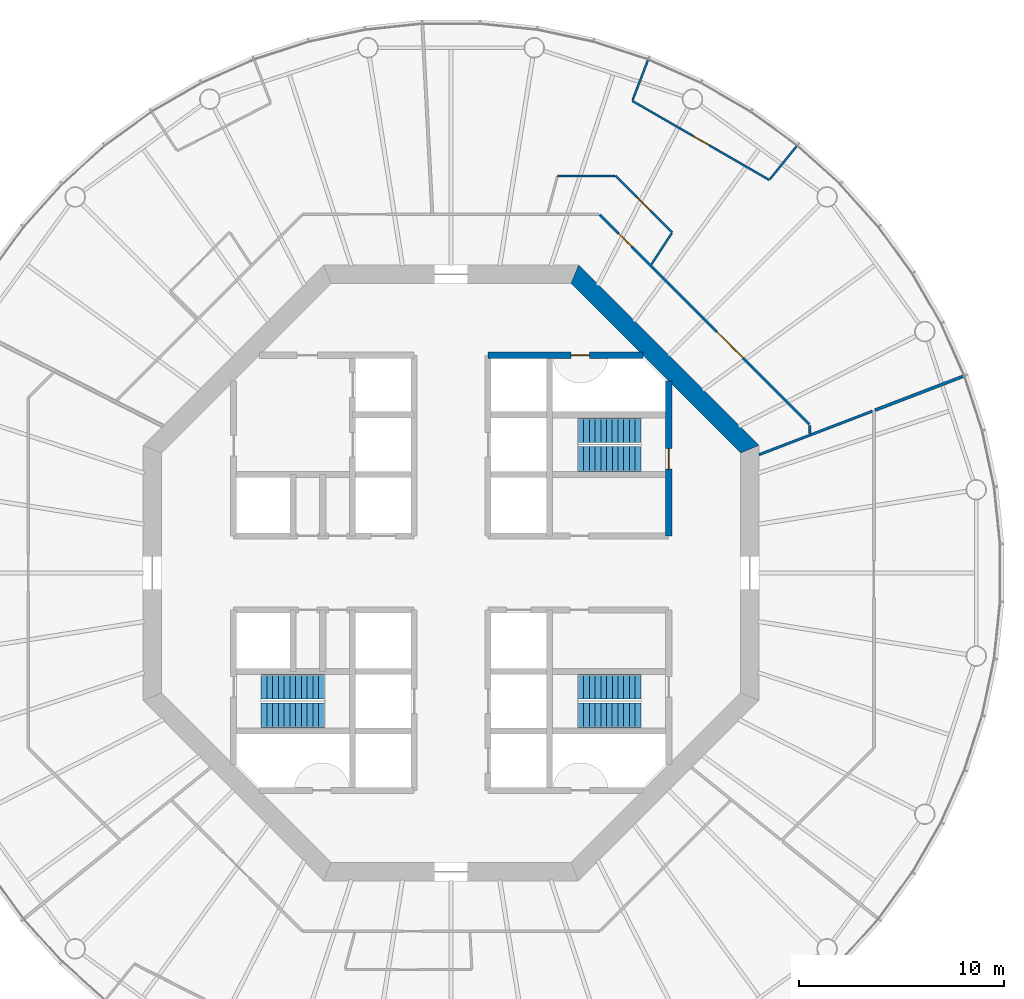
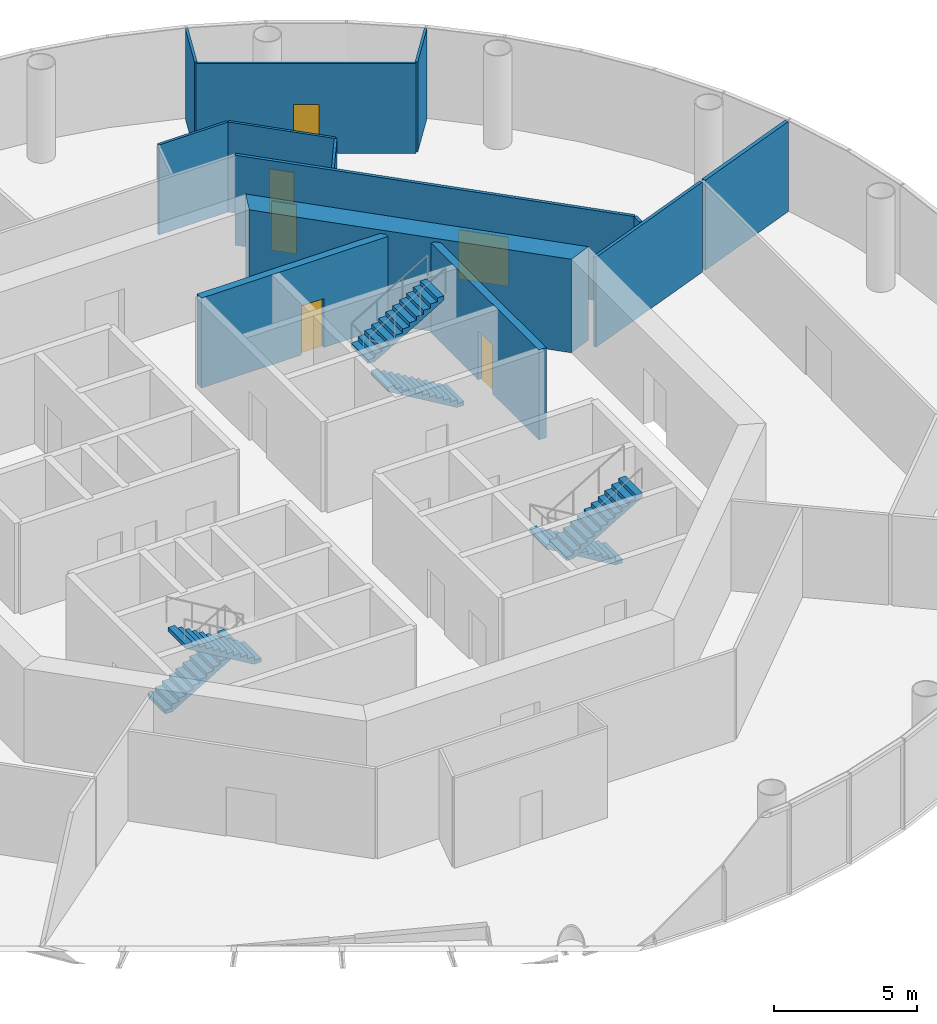
# One storey, part 5 of 12: 13 walls, 6 doors, 6 stair flights, 6 openings, 3 elements without a shape of their own.
"""IFC4 building model written with IfcOpenShell, lengths in metres."""

from ifc_helpers import new_model, si_unit, direction, frame, frame_2d, origin, place, context, subcontext, project, spatial, polyline, rectangle, outline, extrude, material, layer, layer_set, type_object, element, fill, aggregate, save


model = new_model("IFC4")

# Units and contexts
model_context = context("Model", 3, precision=1e-05, world=origin(), true_north=direction((0.0, 1.0)))
body_context = subcontext(model_context, "Body", "Model", "MODEL_VIEW")
ifc_project = project(units=[si_unit("LENGTHUNIT", "METRE"), si_unit("AREAUNIT", "SQUARE_METRE"), si_unit("VOLUMEUNIT", "CUBIC_METRE"), si_unit("PLANEANGLEUNIT", "RADIAN"), si_unit("MASSUNIT", "GRAM", prefix="KILO")], contexts=[model_context])

# Site, building, storey
site_placement = place(None, origin())
site = spatial("IfcSite", under=ifc_project, at=site_placement, CompositionType="ELEMENT")
building_placement = place(site_placement, origin())
building = spatial("IfcBuilding", under=site, at=building_placement, Name="Entoto Ring Tower", CompositionType="ELEMENT")
storey_placement = place(building_placement, frame((0.0, 0.0, 242.0)))
storey = spatial("IfcBuildingStorey", under=building, at=storey_placement, Name="L55", CompositionType="ELEMENT", Elevation=242.0)

# Wall, opening, door
ifc_material_1 = material(Name="Concrete C40/50", Category="concrete")
ifc_layer_1 = layer(ifc_material_1, 0.300048828125)
ifc_layer_set_1 = layer_set([ifc_layer_1], Name="Concrete C40/50")
wall_type_1 = type_object("IfcWallType", Name="Core enclosure wall 300 mm reinforced concrete", PredefinedType="SOLIDWALL", material=ifc_layer_set_1)
wall_1_placement = place(storey_placement, frame((100.60009765625, 81.800048828125, 0.0), z_axis=(0.0, 0.0, 1.0), x_axis=(0.0, 1.0, 0.0)))
wall_1 = element("IfcWall", 1, at=wall_1_placement, inside=storey, type_object=wall_type_1, Name="wall-L55-002", PredefinedType="SOLIDWALL", context=body_context, shape_type="SweptSolid", body=[
    extrude(rectangle(XDim=7.540283203125, YDim=0.300048828125, at=frame_2d((3.77001953125, 0.0))), origin(), (0.0, 0.0, 1.0), 3.85009765625),
])
opening_1_placement = place(wall_1_placement, frame((3.25, 0.0, 0.0)))
opening_1 = element("IfcOpeningElement", 2, at=opening_1_placement, cuts=wall_1, Name="Opening K-17", PredefinedType="OPENING", context=body_context, shape_type="SweptSolid", body=[
    extrude(rectangle(XDim=1.0, YDim=2.10009765625, at=frame_2d((0.5, 1.050048828125))), frame((0.0, 0.16015625, 0.0), z_axis=(0.0, -1.0, 0.0), x_axis=(1.0, 0.0, 0.0)), (0.0, 0.0, 1.0), 0.320068359375),
])
ifc_material_2 = material(Name="Steel door leaf, fire rated", Category="steel")
ifc_layer_2 = layer(ifc_material_2, 0.050048828125)
ifc_layer_set_2 = layer_set([ifc_layer_2], Name="Steel door leaf, fire rated")
door_type_1 = type_object("IfcDoorType", Name="Fire door FD60 1000 x 2100 single leaf", OperationType="NOTDEFINED", PredefinedType="DOOR", material=ifc_layer_set_2)
door_1_placement = place(opening_1_placement, origin())
door_1 = element("IfcDoor", 3, at=door_1_placement, inside=storey, type_object=door_type_1, Name="Door K-17", OperationType="SINGLE_SWING_LEFT", OverallHeight=2.10009765625, OverallWidth=1.0, PredefinedType="DOOR", context=body_context, shape_type="SweptSolid", body=[
    extrude(rectangle(XDim=1.0, YDim=2.10009765625, at=frame_2d((0.5, 1.050048828125))), frame((0.0, 0.02490234375, 0.0), z_axis=(0.0, -1.0, 0.0), x_axis=(1.0, 0.0, 0.0)), (0.0, 0.0, 1.0), 0.050048828125),
])
fill(opening_1, door_1)

wall_2_placement = place(storey_placement, frame((91.800048828125, 90.60009765625, 0.0), z_axis=(0.0, 0.0, 1.0), x_axis=(1.0, 0.0, 0.0)))
wall_2 = element("IfcWall", 4, at=wall_2_placement, inside=storey, type_object=wall_type_1, Name="wall-L55-032", PredefinedType="SOLIDWALL", context=body_context, shape_type="SweptSolid", body=[
    extrude(rectangle(XDim=7.540283203125, YDim=0.300048828125, at=frame_2d((3.77001953125, 0.0))), origin(), (0.0, 0.0, 1.0), 3.85009765625),
])
opening_2_placement = place(wall_2_placement, frame((4.050048828125, 0.0, 0.0)))
opening_2 = element("IfcOpeningElement", 5, at=opening_2_placement, cuts=wall_2, Name="Opening K-20", PredefinedType="OPENING", context=body_context, shape_type="SweptSolid", body=[
    extrude(rectangle(XDim=0.89990234375, YDim=2.10009765625, at=frame_2d((0.449951171875, 1.050048828125))), frame((0.0, 0.16015625, 0.0), z_axis=(0.0, -1.0, 0.0), x_axis=(1.0, 0.0, 0.0)), (0.0, 0.0, 1.0), 0.320068359375),
])
ifc_material_3 = material(Name="Steel door leaf, fire rated", Category="steel")
ifc_layer_3 = layer(ifc_material_3, 0.050048828125)
ifc_layer_set_3 = layer_set([ifc_layer_3], Name="Steel door leaf, fire rated")
door_type_2 = type_object("IfcDoorType", Name="Riser door FD60 900 x 2100 single leaf", OperationType="NOTDEFINED", PredefinedType="DOOR", material=ifc_layer_set_3)
door_2_placement = place(opening_2_placement, frame((0.89990234375, 0.0, 0.0), z_axis=(0.0, 0.0, 1.0), x_axis=(-1.0, 0.0, 0.0)))
door_2 = element("IfcDoor", 6, at=door_2_placement, inside=storey, type_object=door_type_2, Name="Door K-20", OperationType="SINGLE_SWING_RIGHT", OverallHeight=2.10009765625, OverallWidth=0.89990234375, PredefinedType="DOOR", context=body_context, shape_type="SweptSolid", body=[
    extrude(rectangle(XDim=0.89990234375, YDim=2.10009765625, at=frame_2d((0.449951171875, 1.050048828125))), frame((0.0, 0.02490234375, 0.0), z_axis=(0.0, -1.0, 0.0), x_axis=(1.0, 0.0, 0.0)), (0.0, 0.0, 1.0), 0.050048828125),
])
fill(opening_2, door_2)

# Wall
ifc_material_4 = material(Name="Concrete C50/60", Category="concrete")
ifc_layer_4 = layer(ifc_material_4, 0.89990234375)
ifc_layer_set_4 = layer_set([ifc_layer_4], Name="Concrete C50/60")
wall_type_2 = type_object("IfcWallType", Name="Core shear wall 900 mm reinforced concrete C50/60", PredefinedType="SHEAR", material=ifc_layer_set_4)
wall_3_placement = place(storey_placement, frame((104.550048828125, 86.02685546875, 0.0), z_axis=(0.0, 0.0, 1.0), x_axis=(-0.707106781187, 0.707106781187, 0.0)))
element("IfcWall", 7, at=wall_3_placement, inside=storey, type_object=wall_type_2, Name="wall-L55-core-1", PredefinedType="SHEAR", context=body_context, shape_type="SweptSolid", body=[
    extrude(outline(polyline([(-0.186279296875, -0.449951171875), (12.239990234375, -0.449951171875), (11.867431640625, 0.449951171875), (0.186279296875, 0.449951171875), (-0.186279296875, -0.449951171875)])), origin(), (0.0, 0.0, 1.0), 4.0),
])

# Wall, openings, doors
ifc_material_5 = material(Name="Fire-resisting plasterboard on steel studs", Category="steel")
ifc_layer_5 = layer(ifc_material_5, 0.125)
ifc_layer_set_5 = layer_set([ifc_layer_5], Name="Fire-resisting plasterboard on steel studs")
wall_type_3 = type_object("IfcWallType", Name="Corridor wall 125 mm one-hour plasterboard on steel studs", PredefinedType="PARTITIONING", material=ifc_layer_set_5)
wall_4_placement = place(storey_placement, frame((107.46240234375, 87.233154296875, 0.0), z_axis=(0.0, 0.0, 1.0), x_axis=(-0.707106781187, 0.707106781187, 0.0)))
wall_4 = element("IfcWall", 8, at=wall_4_placement, inside=storey, type_object=wall_type_3, Name="partition-L55-003", PredefinedType="PARTITIONING", context=body_context, shape_type="SweptSolid", body=[
    extrude(rectangle(XDim=14.46630859375, YDim=0.125, at=frame_2d((7.233154296875, 0.0))), origin(), (0.0, 0.0, 1.0), 3.85009765625),
])
opening_3_placement = place(wall_4_placement, frame((4.572509765625, 0.0, 0.0)))
opening_3 = element("IfcOpeningElement", 9, at=opening_3_placement, cuts=wall_4, Name="Opening A24-D03", PredefinedType="OPENING", context=body_context, shape_type="SweptSolid", body=[
    extrude(rectangle(XDim=1.800048828125, YDim=2.10009765625, at=frame_2d((0.89990234375, 1.050048828125))), frame((0.0, 0.072509765625, 0.0), z_axis=(0.0, -1.0, 0.0), x_axis=(1.0, 0.0, 0.0)), (0.0, 0.0, 1.0), 0.14501953125),
])
opening_4_placement = place(wall_4_placement, frame((12.255615234375, 0.0, 0.0)))
opening_4 = element("IfcOpeningElement", 10, at=opening_4_placement, cuts=wall_4, Name="Opening A24-D05", PredefinedType="OPENING", context=body_context, shape_type="SweptSolid", body=[
    extrude(rectangle(XDim=0.89990234375, YDim=2.10009765625, at=frame_2d((0.449951171875, 1.050048828125))), frame((0.0, 0.072509765625, 0.0), z_axis=(0.0, -1.0, 0.0), x_axis=(1.0, 0.0, 0.0)), (0.0, 0.0, 1.0), 0.14501953125),
])
ifc_material_6 = material(Name="Fire-resisting timber door set", Category="wood")
door_type_3 = type_object("IfcDoorType", Name="Door 1000 x 2100 single leaf FD30S fire door", OperationType="NOTDEFINED", PredefinedType="DOOR", material=ifc_material_6)
door_3_placement = place(opening_4_placement, frame((0.89990234375, 0.0, 0.0), z_axis=(0.0, 0.0, 1.0), x_axis=(-1.0, 0.0, 0.0)))
door_3 = element("IfcDoor", 11, at=door_3_placement, inside=storey, type_object=door_type_3, Name="Door A24-D05", OperationType="SINGLE_SWING_RIGHT", OverallHeight=2.10009765625, OverallWidth=0.89990234375, PredefinedType="DOOR", context=body_context, shape_type="SweptSolid", body=[
    extrude(rectangle(XDim=0.89990234375, YDim=2.10009765625, at=frame_2d((0.449951171875, 1.050048828125))), frame((0.0, 0.02490234375, 0.0), z_axis=(0.0, -1.0, 0.0), x_axis=(1.0, 0.0, 0.0)), (0.0, 0.0, 1.0), 0.050048828125),
])
fill(opening_4, door_3)
ifc_material_7 = material(Name="Fire-resisting timber door set", Category="wood")
door_type_4 = type_object("IfcDoorType", Name="Door 1800 x 2100 double leaf FD30S fire door", OperationType="DOUBLE_DOOR_SINGLE_SWING", PredefinedType="DOOR", material=ifc_material_7)
door_4_placement = place(opening_3_placement, frame((1.800048828125, 0.0, 0.0), z_axis=(0.0, 0.0, 1.0), x_axis=(-1.0, 0.0, 0.0)))
door_4 = element("IfcDoor", 12, at=door_4_placement, inside=storey, type_object=door_type_4, Name="Door A24-D03", OperationType="DOUBLE_DOOR_SINGLE_SWING", OverallHeight=2.10009765625, OverallWidth=1.800048828125, PredefinedType="DOOR", context=body_context, shape_type="SweptSolid", body=[
    extrude(rectangle(XDim=1.800048828125, YDim=2.10009765625, at=frame_2d((0.89990234375, 1.050048828125))), frame((0.0, 0.02490234375, 0.0), z_axis=(0.0, -1.0, 0.0), x_axis=(1.0, 0.0, 0.0)), (0.0, 0.0, 1.0), 0.050048828125),
])
fill(opening_3, door_4)

# Walls
wall_5_placement = place(storey_placement, frame((105.0, 85.758056640625, 0.0), z_axis=(0.0, 0.0, 1.0), x_axis=(0.933592488158, 0.358336526264, 0.0)))
element("IfcWall", 13, at=wall_5_placement, inside=storey, type_object=wall_type_3, Name="partition-L55-011", PredefinedType="PARTITIONING", context=body_context, shape_type="SweptSolid", body=[
    extrude(rectangle(XDim=5.90771484375, YDim=0.125, at=frame_2d((2.953857421875, 0.0))), origin(), (0.0, 0.0, 1.0), 3.85009765625),
])
wall_6_placement = place(storey_placement, frame((107.46240234375, 86.7939453125, 0.0), z_axis=(0.0, 0.0, 1.0), x_axis=(0.0, 1.0, 0.0)))
element("IfcWall", 14, at=wall_6_placement, inside=storey, type_object=wall_type_3, Name="partition-L55-016", PredefinedType="PARTITIONING", context=body_context, shape_type="SweptSolid", body=[
    extrude(rectangle(XDim=0.395263671875, YDim=0.125, at=frame_2d((0.19775390625, 0.0))), origin(), (0.0, 0.0, 1.0), 3.85009765625),
])

# Wall, opening, door
ifc_material_8 = material(Name="Plasterboard on steel studs", Category="steel")
ifc_layer_6 = layer(ifc_material_8, 0.10009765625)
ifc_layer_set_6 = layer_set([ifc_layer_6], Name="Plasterboard on steel studs")
wall_type_4 = type_object("IfcWallType", Name="Partition 100 mm plasterboard on steel studs", PredefinedType="PARTITIONING", material=ifc_layer_set_6)
wall_7_placement = place(storey_placement, frame((105.500244140625, 99.14111328125, 0.0), z_axis=(0.0, 0.0, 1.0), x_axis=(-0.866023614981, 0.500003098285, 0.0)))
wall_7 = element("IfcWall", 15, at=wall_7_placement, inside=storey, type_object=wall_type_4, Name="partition-L55-023", PredefinedType="PARTITIONING", context=body_context, shape_type="SweptSolid", body=[
    extrude(rectangle(XDim=7.7060546875, YDim=0.10009765625, at=frame_2d((3.85302734375, 0.0))), origin(), (0.0, 0.0, 1.0), 3.85009765625),
])
opening_5_placement = place(wall_7_placement, frame((3.403076171875, 0.0, 0.0)))
opening_5 = element("IfcOpeningElement", 16, at=opening_5_placement, cuts=wall_7, Name="Opening A24-D06", PredefinedType="OPENING", context=body_context, shape_type="SweptSolid", body=[
    extrude(rectangle(XDim=0.89990234375, YDim=2.10009765625, at=frame_2d((0.449951171875, 1.050048828125))), frame((0.0, 0.06005859375, 0.0), z_axis=(0.0, -1.0, 0.0), x_axis=(1.0, 0.0, 0.0)), (0.0, 0.0, 1.0), 0.1201171875),
])
ifc_material_9 = material(Name="Veneered timber door leaf in timber frame", Category="wood")
door_type_5 = type_object("IfcDoorType", Name="Door 900 x 2100 single leaf timber veneer", OperationType="NOTDEFINED", PredefinedType="DOOR", material=ifc_material_9)
door_5_placement = place(opening_5_placement, frame((0.89990234375, 0.0, 0.0), z_axis=(0.0, 0.0, 1.0), x_axis=(-1.0, 0.0, 0.0)))
door_5 = element("IfcDoor", 17, at=door_5_placement, inside=storey, type_object=door_type_5, Name="Door A24-D06", OperationType="SINGLE_SWING_RIGHT", OverallHeight=2.10009765625, OverallWidth=0.89990234375, PredefinedType="DOOR", context=body_context, shape_type="SweptSolid", body=[
    extrude(rectangle(XDim=0.89990234375, YDim=2.10009765625, at=frame_2d((0.449951171875, 1.050048828125))), frame((0.0, 0.02490234375, 0.0), z_axis=(0.0, -1.0, 0.0), x_axis=(1.0, 0.0, 0.0)), (0.0, 0.0, 1.0), 0.050048828125),
])
fill(opening_5, door_5)

wall_8_placement = place(storey_placement, frame((100.77001953125, 96.58447265625, 0.0), z_axis=(0.0, 0.0, 1.0), x_axis=(-0.707106781187, 0.707106781187, 0.0)))
wall_8 = element("IfcWall", 18, at=wall_8_placement, inside=storey, type_object=wall_type_4, Name="partition-L55-027", PredefinedType="PARTITIONING", context=body_context, shape_type="SweptSolid", body=[
    extrude(rectangle(XDim=3.900390625, YDim=0.10009765625, at=frame_2d((1.9501953125, 0.0))), origin(), (0.0, 0.0, 1.0), 3.85009765625),
])
opening_6_placement = place(wall_8_placement, frame((1.500244140625, 0.0, 0.0)))
opening_6 = element("IfcOpeningElement", 19, at=opening_6_placement, cuts=wall_8, Name="Opening A24-D04", PredefinedType="OPENING", context=body_context, shape_type="SweptSolid", body=[
    extrude(rectangle(XDim=0.89990234375, YDim=2.10009765625, at=frame_2d((0.449951171875, 1.050048828125))), frame((0.0, 0.06005859375, 0.0), z_axis=(0.0, -1.0, 0.0), x_axis=(1.0, 0.0, 0.0)), (0.0, 0.0, 1.0), 0.1201171875),
])
door_6_placement = place(opening_6_placement, origin())
door_6 = element("IfcDoor", 20, at=door_6_placement, inside=storey, type_object=door_type_5, Name="Door A24-D04", OperationType="SINGLE_SWING_LEFT", OverallHeight=2.10009765625, OverallWidth=0.89990234375, PredefinedType="DOOR", context=body_context, shape_type="SweptSolid", body=[
    extrude(rectangle(XDim=0.89990234375, YDim=2.10009765625, at=frame_2d((0.449951171875, 1.050048828125))), frame((0.0, 0.02490234375, 0.0), z_axis=(0.0, -1.0, 0.0), x_axis=(1.0, 0.0, 0.0)), (0.0, 0.0, 1.0), 0.050048828125),
])
fill(opening_6, door_6)

# Walls
wall_9_placement = place(storey_placement, frame((95.182861328125, 99.342529296875, 0.0), z_axis=(0.0, 0.0, 1.0), x_axis=(1.0, 0.0, 0.0)))
element("IfcWall", 21, at=wall_9_placement, inside=storey, type_object=wall_type_4, Name="partition-L55-028", PredefinedType="PARTITIONING", context=body_context, shape_type="SweptSolid", body=[
    extrude(rectangle(XDim=2.7939453125, YDim=0.10009765625, at=frame_2d((1.39697265625, 0.0))), origin(), (0.0, 0.0, 1.0), 3.85009765625),
])
wall_10_placement = place(storey_placement, frame((98.84423828125, 103.0400390625, 0.0), z_axis=(0.0, 0.0, 1.0), x_axis=(0.358383583251, 0.93357442513, 0.0)))
element("IfcWall", 22, at=wall_10_placement, inside=storey, type_object=wall_type_4, Name="partition-L55-033", PredefinedType="PARTITIONING", context=body_context, shape_type="SweptSolid", body=[
    extrude(rectangle(XDim=2.060791015625, YDim=0.10009765625, at=frame_2d((1.0302734375, 0.0))), origin(), (0.0, 0.0, 1.0), 3.85009765625),
])
wall_11_placement = place(storey_placement, frame((105.53125, 99.179443359375, 0.0), z_axis=(0.0, 0.0, 1.0), x_axis=(0.629235718864, 0.777214520005, 0.0)))
element("IfcWall", 23, at=wall_11_placement, inside=storey, type_object=wall_type_4, Name="partition-L55-034", PredefinedType="PARTITIONING", context=body_context, shape_type="SweptSolid", body=[
    extrude(rectangle(XDim=2.060546875, YDim=0.10009765625, at=frame_2d((1.0302734375, 0.0))), origin(), (0.0, 0.0, 1.0), 3.85009765625),
])
wall_12_placement = place(storey_placement, frame((99.763916015625, 95.034912109375, 0.0), z_axis=(0.0, 0.0, 1.0), x_axis=(0.544573203317, 0.838713315877, 0.0)))
element("IfcWall", 24, at=wall_12_placement, inside=storey, type_object=wall_type_4, Name="partition-L55-038", PredefinedType="PARTITIONING", context=body_context, shape_type="SweptSolid", body=[
    extrude(rectangle(XDim=1.798583984375, YDim=0.10009765625, at=frame_2d((0.8994140625, 0.0))), origin(), (0.0, 0.0, 1.0), 3.85009765625),
])
ifc_material_10 = material(Name="Fire-resisting acoustic plasterboard on steel studs", Category="steel")
ifc_layer_7 = layer(ifc_material_10, 0.14990234375)
ifc_layer_set_7 = layer_set([ifc_layer_7], Name="Fire-resisting acoustic plasterboard on steel studs")
wall_type_5 = type_object("IfcWallType", Name="Party wall 150 mm one-hour acoustic plasterboard on steel studs", PredefinedType="PARTITIONING", material=ifc_layer_set_7)
wall_13_placement = place(storey_placement, frame((110.654296875, 87.928466796875, 0.0), z_axis=(0.0, 0.0, 1.0), x_axis=(0.933579859324, 0.358369427078, 0.0)))
element("IfcWall", 25, at=wall_13_placement, inside=storey, type_object=wall_type_5, Name="partition-L55-021", PredefinedType="PARTITIONING", context=body_context, shape_type="SweptSolid", body=[
    extrude(rectangle(XDim=4.6162109375, YDim=0.14990234375, at=frame_2d((2.30810546875, 0.0))), origin(), (0.0, 0.0, 1.0), 3.85009765625),
])

# Stair, stair flights
ifc_material_11 = material(Name="Concrete C40/50", Category="concrete")
stair_type = type_object("IfcStairType", Name="Exit stair 1200 mm dog-leg reinforced concrete", PredefinedType="HALF_TURN_STAIR", material=ifc_material_11)
stair_1_placement = place(storey_placement, origin())
stair_1 = element("IfcStair", 26, at=stair_1_placement, inside=storey, type_object=stair_type, Name="Exit stair 1", PredefinedType="HALF_TURN_STAIR")
ifc_material_12 = material(Name="Concrete C40/50", Category="concrete")
stair_flight_type = type_object("IfcStairFlightType", Name="Stair flight 1200 mm reinforced concrete", PredefinedType="STRAIGHT", material=ifc_material_12)
stair_flight_1_placement = place(storey_placement, frame((99.25, 85.550048828125, 0.0), z_axis=(0.0, 0.0, 1.0), x_axis=(-1.0, 0.0, 0.0)))
stair_flight_1 = element("IfcStairFlight", 27, at=stair_flight_1_placement, type_object=stair_flight_type, Name="ST1 flight 1", NumberOfRisers=12, NumberOfTreads=11, PredefinedType="STRAIGHT", RiserHeight=0.166666667, TreadLength=0.28, context=body_context, shape_type="SweptSolid", body=[
    extrude(outline(polyline([(0.0, 0.0), (0.0, 0.166748046875), (0.280029296875, 0.166748046875), (0.280029296875, 0.333251953125), (0.56005859375, 0.333251953125), (0.56005859375, 0.5), (0.840087890625, 0.5), (0.840087890625, 0.666748046875), (1.1201171875, 0.666748046875), (1.1201171875, 0.833251953125), (1.39990234375, 0.833251953125), (1.39990234375, 1.0), (1.679931640625, 1.0), (1.679931640625, 1.166748046875), (1.9599609375, 1.166748046875), (1.9599609375, 1.333251953125), (2.239990234375, 1.333251953125), (2.239990234375, 1.5), (2.52001953125, 1.5), (2.52001953125, 1.666748046875), (2.800048828125, 1.666748046875), (2.800048828125, 1.833251953125), (3.080078125, 1.833251953125), (3.080078125, 2.0), (3.080078125, 1.658935546875), (0.29296875, 0.0), (0.0, 0.0)])), frame((0.0, 0.60009765625, 0.0), z_axis=(0.0, -1.0, 0.0), x_axis=(1.0, 0.0, 0.0)), (0.0, 0.0, 1.0), 1.199951171875),
])
stair_flight_2_placement = place(storey_placement, frame((96.169921875, 86.949951171875, 2.0), z_axis=(0.0, 0.0, 1.0), x_axis=(1.0, 0.0, 0.0)))
stair_flight_2 = element("IfcStairFlight", 28, at=stair_flight_2_placement, type_object=stair_flight_type, Name="ST1 flight 2", NumberOfRisers=12, NumberOfTreads=11, PredefinedType="STRAIGHT", RiserHeight=0.166666667, TreadLength=0.28, context=body_context, shape_type="SweptSolid", body=[
    extrude(outline(polyline([(0.0, 0.0), (0.0, 0.166748046875), (0.280029296875, 0.166748046875), (0.280029296875, 0.333251953125), (0.56005859375, 0.333251953125), (0.56005859375, 0.5), (0.840087890625, 0.5), (0.840087890625, 0.666748046875), (1.1201171875, 0.666748046875), (1.1201171875, 0.833251953125), (1.39990234375, 0.833251953125), (1.39990234375, 1.0), (1.679931640625, 1.0), (1.679931640625, 1.166748046875), (1.9599609375, 1.166748046875), (1.9599609375, 1.333251953125), (2.239990234375, 1.333251953125), (2.239990234375, 1.5), (2.52001953125, 1.5), (2.52001953125, 1.666748046875), (2.800048828125, 1.666748046875), (2.800048828125, 1.833251953125), (3.080078125, 1.833251953125), (3.080078125, 2.0), (3.080078125, 1.658935546875), (0.29296875, 0.0), (0.0, 0.0)])), frame((0.0, 0.60009765625, 0.0), z_axis=(0.0, -1.0, 0.0), x_axis=(1.0, 0.0, 0.0)), (0.0, 0.0, 1.0), 1.199951171875),
])
aggregate(stair_1, [stair_flight_1, stair_flight_2])

stair_2_placement = place(storey_placement, origin())
stair_2 = element("IfcStair", 29, at=stair_2_placement, inside=storey, type_object=stair_type, Name="Exit stair 2", PredefinedType="HALF_TURN_STAIR")
stair_flight_3_placement = place(storey_placement, frame((80.75, 74.449951171875, 0.0), z_axis=(0.0, 0.0, 1.0), x_axis=(1.0, 0.0, 0.0)))
stair_flight_3 = element("IfcStairFlight", 30, at=stair_flight_3_placement, type_object=stair_flight_type, Name="ST2 flight 1", NumberOfRisers=12, NumberOfTreads=11, PredefinedType="STRAIGHT", RiserHeight=0.166666667, TreadLength=0.28, context=body_context, shape_type="SweptSolid", body=[
    extrude(outline(polyline([(0.0, 0.0), (0.0, 0.166748046875), (0.280029296875, 0.166748046875), (0.280029296875, 0.333251953125), (0.56005859375, 0.333251953125), (0.56005859375, 0.5), (0.840087890625, 0.5), (0.840087890625, 0.666748046875), (1.1201171875, 0.666748046875), (1.1201171875, 0.833251953125), (1.39990234375, 0.833251953125), (1.39990234375, 1.0), (1.679931640625, 1.0), (1.679931640625, 1.166748046875), (1.9599609375, 1.166748046875), (1.9599609375, 1.333251953125), (2.239990234375, 1.333251953125), (2.239990234375, 1.5), (2.52001953125, 1.5), (2.52001953125, 1.666748046875), (2.800048828125, 1.666748046875), (2.800048828125, 1.833251953125), (3.080078125, 1.833251953125), (3.080078125, 2.0), (3.080078125, 1.658935546875), (0.29296875, 0.0), (0.0, 0.0)])), frame((0.0, 0.60009765625, 0.0), z_axis=(0.0, -1.0, 0.0), x_axis=(1.0, 0.0, 0.0)), (0.0, 0.0, 1.0), 1.199951171875),
])
stair_flight_4_placement = place(storey_placement, frame((83.830078125, 73.050048828125, 2.0), z_axis=(0.0, 0.0, 1.0), x_axis=(-1.0, 0.0, 0.0)))
stair_flight_4 = element("IfcStairFlight", 31, at=stair_flight_4_placement, type_object=stair_flight_type, Name="ST2 flight 2", NumberOfRisers=12, NumberOfTreads=11, PredefinedType="STRAIGHT", RiserHeight=0.166666667, TreadLength=0.28, context=body_context, shape_type="SweptSolid", body=[
    extrude(outline(polyline([(0.0, 0.0), (0.0, 0.166748046875), (0.280029296875, 0.166748046875), (0.280029296875, 0.333251953125), (0.56005859375, 0.333251953125), (0.56005859375, 0.5), (0.840087890625, 0.5), (0.840087890625, 0.666748046875), (1.1201171875, 0.666748046875), (1.1201171875, 0.833251953125), (1.39990234375, 0.833251953125), (1.39990234375, 1.0), (1.679931640625, 1.0), (1.679931640625, 1.166748046875), (1.9599609375, 1.166748046875), (1.9599609375, 1.333251953125), (2.239990234375, 1.333251953125), (2.239990234375, 1.5), (2.52001953125, 1.5), (2.52001953125, 1.666748046875), (2.800048828125, 1.666748046875), (2.800048828125, 1.833251953125), (3.080078125, 1.833251953125), (3.080078125, 2.0), (3.080078125, 1.658935546875), (0.29296875, 0.0), (0.0, 0.0)])), frame((0.0, 0.60009765625, 0.0), z_axis=(0.0, -1.0, 0.0), x_axis=(1.0, 0.0, 0.0)), (0.0, 0.0, 1.0), 1.199951171875),
])
aggregate(stair_2, [stair_flight_3, stair_flight_4])

stair_3_placement = place(storey_placement, origin())
stair_3 = element("IfcStair", 32, at=stair_3_placement, inside=storey, type_object=stair_type, Name="Exit stair 3", PredefinedType="HALF_TURN_STAIR")
stair_flight_5_placement = place(storey_placement, frame((99.25, 74.449951171875, 0.0), z_axis=(0.0, 0.0, 1.0), x_axis=(-1.0, 0.0, 0.0)))
stair_flight_5 = element("IfcStairFlight", 33, at=stair_flight_5_placement, type_object=stair_flight_type, Name="ST3 flight 1", NumberOfRisers=12, NumberOfTreads=11, PredefinedType="STRAIGHT", RiserHeight=0.166666667, TreadLength=0.28, context=body_context, shape_type="SweptSolid", body=[
    extrude(outline(polyline([(0.0, 0.0), (0.0, 0.166748046875), (0.280029296875, 0.166748046875), (0.280029296875, 0.333251953125), (0.56005859375, 0.333251953125), (0.56005859375, 0.5), (0.840087890625, 0.5), (0.840087890625, 0.666748046875), (1.1201171875, 0.666748046875), (1.1201171875, 0.833251953125), (1.39990234375, 0.833251953125), (1.39990234375, 1.0), (1.679931640625, 1.0), (1.679931640625, 1.166748046875), (1.9599609375, 1.166748046875), (1.9599609375, 1.333251953125), (2.239990234375, 1.333251953125), (2.239990234375, 1.5), (2.52001953125, 1.5), (2.52001953125, 1.666748046875), (2.800048828125, 1.666748046875), (2.800048828125, 1.833251953125), (3.080078125, 1.833251953125), (3.080078125, 2.0), (3.080078125, 1.658935546875), (0.29296875, 0.0), (0.0, 0.0)])), frame((0.0, 0.60009765625, 0.0), z_axis=(0.0, -1.0, 0.0), x_axis=(1.0, 0.0, 0.0)), (0.0, 0.0, 1.0), 1.199951171875),
])
stair_flight_6_placement = place(storey_placement, frame((96.169921875, 73.050048828125, 2.0), z_axis=(0.0, 0.0, 1.0), x_axis=(1.0, 0.0, 0.0)))
stair_flight_6 = element("IfcStairFlight", 34, at=stair_flight_6_placement, type_object=stair_flight_type, Name="ST3 flight 2", NumberOfRisers=12, NumberOfTreads=11, PredefinedType="STRAIGHT", RiserHeight=0.166666667, TreadLength=0.28, context=body_context, shape_type="SweptSolid", body=[
    extrude(outline(polyline([(0.0, 0.0), (0.0, 0.166748046875), (0.280029296875, 0.166748046875), (0.280029296875, 0.333251953125), (0.56005859375, 0.333251953125), (0.56005859375, 0.5), (0.840087890625, 0.5), (0.840087890625, 0.666748046875), (1.1201171875, 0.666748046875), (1.1201171875, 0.833251953125), (1.39990234375, 0.833251953125), (1.39990234375, 1.0), (1.679931640625, 1.0), (1.679931640625, 1.166748046875), (1.9599609375, 1.166748046875), (1.9599609375, 1.333251953125), (2.239990234375, 1.333251953125), (2.239990234375, 1.5), (2.52001953125, 1.5), (2.52001953125, 1.666748046875), (2.800048828125, 1.666748046875), (2.800048828125, 1.833251953125), (3.080078125, 1.833251953125), (3.080078125, 2.0), (3.080078125, 1.658935546875), (0.29296875, 0.0), (0.0, 0.0)])), frame((0.0, 0.60009765625, 0.0), z_axis=(0.0, -1.0, 0.0), x_axis=(1.0, 0.0, 0.0)), (0.0, 0.0, 1.0), 1.199951171875),
])
aggregate(stair_3, [stair_flight_5, stair_flight_6])

save(model, "model.ifc")
